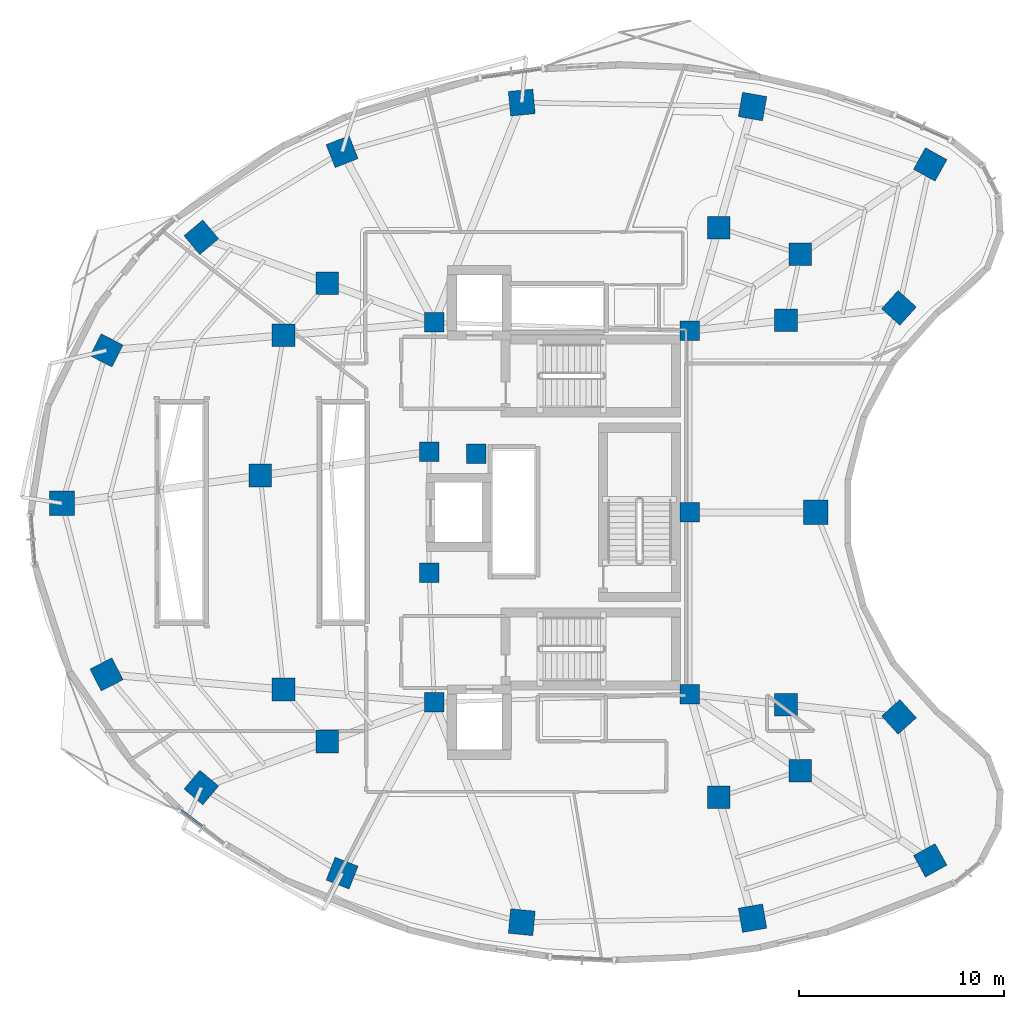
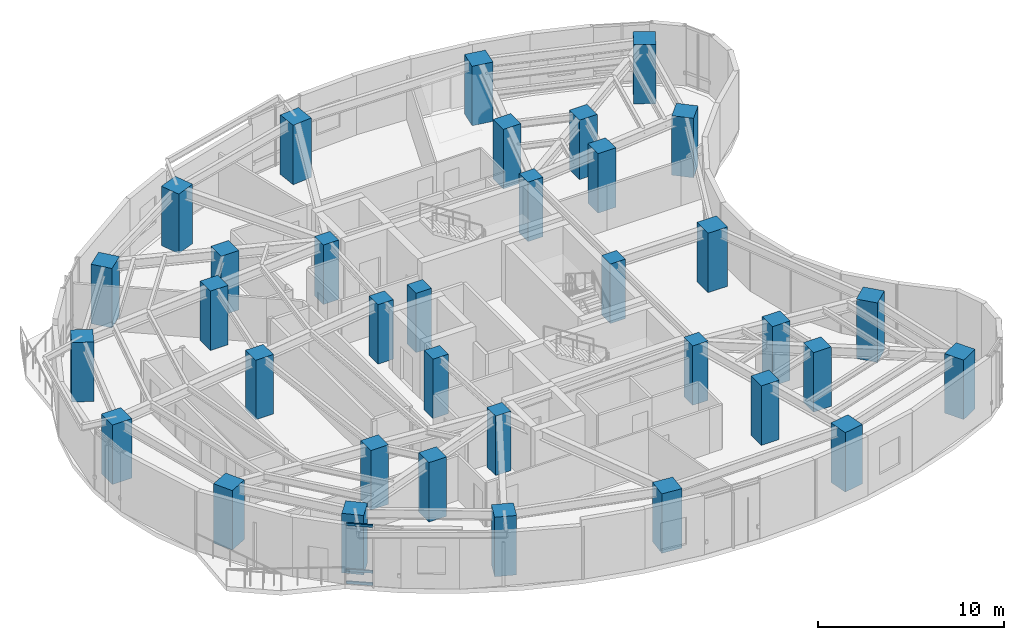
# One storey, part 1 of 14: 35 columns, 3 members, 1 element without a shape of its own.
"""IFC4 building model written with IfcOpenShell, lengths in metres."""

import ifcopenshell
import ifcopenshell.guid

model = None  # the IFC model being written
_history = None  # IfcOwnerHistory: only IFC2X3 demands one
_inside = {}  # id of a spatial element -> (the spatial element, [elements in it])
_under = {}  # id of a project, library or spatial element -> (it, [spatial elements below it])
_declared = {}  # id of a project -> (the project, [libraries it declares])
_typed = {}  # id of a type object -> (the type object, [elements of that type])
_made_of = {}  # id of a material, layer set ... -> (it, [elements and type objects made of it])


def new_model(schema):
    """Start an empty IFC model of exactly this schema.

    Asked for "IFC4X3", IfcOpenShell would pick the latest addendum, in which some entities
    have other attributes; the version numbers below select the first issue.
    IFC2X3 requires an IfcOwnerHistory on every rooted entity: one is made here for all.
    """
    global model, _history
    if schema == "IFC4X3":
        model = ifcopenshell.file(schema_version=(4, 3, 0, 0))
    else:
        model = ifcopenshell.file(schema=schema)
    _inside.clear()
    _under.clear()
    _declared.clear()
    _typed.clear()
    _made_of.clear()
    _history = None
    if model.schema == "IFC2X3":
        org = make("IfcOrganization", Name="unknown")
        user = make(
            "IfcPersonAndOrganization",
            ThePerson=make("IfcPerson", FamilyName="unknown"),
            TheOrganization=org,
        )
        app = make(
            "IfcApplication",
            ApplicationDeveloper=org,
            Version="unknown",
            ApplicationFullName="unknown",
            ApplicationIdentifier="unknown",
        )
        _history = make(
            "IfcOwnerHistory",
            OwningUser=user,
            OwningApplication=app,
            ChangeAction="ADDED",
            CreationDate=0,
        )
    return model


def make(cls, **values):
    """One entity of the class cls with the attributes given. An attribute that is None is left unset."""
    return model.create_entity(
        cls, **{name: value for name, value in values.items() if value is not None}
    )


def rooted(cls, **values):
    """An entity with a GlobalId (a new one), such as an element, a storey or a relation."""
    return make(cls, GlobalId=ifcopenshell.guid.new(), OwnerHistory=_history, **values)


def si_unit(unit_type, name, prefix=None):
    """IfcSIUnit, for example si_unit("LENGTHUNIT", "METRE", prefix="MILLI")."""
    return make("IfcSIUnit", UnitType=unit_type, Prefix=prefix, Name=name)


def assignment(units):
    """IfcUnitAssignment: the units of a project."""
    return None if units is None else make("IfcUnitAssignment", Units=units)


def point(xyz):
    """IfcCartesianPoint."""
    return None if xyz is None else make("IfcCartesianPoint", Coordinates=xyz)


def direction(xyz):
    """IfcDirection."""
    return None if xyz is None else make("IfcDirection", DirectionRatios=xyz)


def frame(location, z_axis=None, x_axis=None):
    """IfcAxis2Placement3D, a coordinate frame: its origin and axes. An axis left out is left unset."""
    return make(
        "IfcAxis2Placement3D",
        Location=point(location),
        Axis=direction(z_axis),
        RefDirection=direction(x_axis),
    )


def frame_2d(location, x_axis=None):
    """IfcAxis2Placement2D, a coordinate frame in the plane: its origin and x axis."""
    return make(
        "IfcAxis2Placement2D", Location=point(location), RefDirection=direction(x_axis)
    )


def origin():
    """The frame at (0, 0, 0) with its axes left unset."""
    return frame((0.0, 0.0, 0.0))


def origin_2d():
    """The frame at (0, 0) in the plane with its x axis left unset."""
    return frame_2d((0.0, 0.0))


def place(relative_to, where):
    """IfcLocalPlacement: puts the frame where relative to a parent placement (None: the world)."""
    return make(
        "IfcLocalPlacement", PlacementRelTo=relative_to, RelativePlacement=where
    )


def context(
    kind, dimensions, precision=None, world=None, true_north=None, identifier=None
):
    """IfcGeometricRepresentationContext, for example the 3D "Model" context."""
    return make(
        "IfcGeometricRepresentationContext",
        ContextIdentifier=identifier,
        ContextType=kind,
        CoordinateSpaceDimension=dimensions,
        Precision=precision,
        WorldCoordinateSystem=world,
        TrueNorth=true_north,
    )


def subcontext(parent, identifier, kind, view, scale=None):
    """IfcGeometricRepresentationSubContext, for example "Body" below "Model"."""
    return make(
        "IfcGeometricRepresentationSubContext",
        ContextIdentifier=identifier,
        ContextType=kind,
        ParentContext=parent,
        TargetScale=scale,
        TargetView=view,
    )


def project(units=None, contexts=None):
    """IfcProject with its units and contexts."""
    return rooted(
        "IfcProject",
        Name="project",
        RepresentationContexts=contexts,
        UnitsInContext=assignment(units),
    )


def spatial(cls, under=None, at=None, **own):
    """A site, building, storey or space (cls), placed at a placement, below another one or the project."""
    s = rooted(cls, ObjectPlacement=at, **own)
    if under is not None:
        _under.setdefault(under.id(), (under, []))[1].append(s)
    return s


def profile(cls, at=None, kind="AREA", **sizes):
    """A parametric profile (cls). Its sizes go by their IFC names, for example OverallWidth=200.0."""
    return make(cls, ProfileType=kind, Position=at, **sizes)


def rectangle(**sizes):
    """IfcRectangleProfileDef."""
    return profile("IfcRectangleProfileDef", **sizes)


def extrude(swept, where, along, depth):
    """IfcExtrudedAreaSolid: the profile swept, set in the frame where, extruded along a direction by depth."""
    return make(
        "IfcExtrudedAreaSolid",
        SweptArea=swept,
        Position=where,
        ExtrudedDirection=direction(along),
        Depth=depth,
    )


def shape(context_of_items, identifier, shape_type, items):
    """IfcShapeRepresentation: the items that make up one representation, for example the "Body"."""
    return make(
        "IfcShapeRepresentation",
        ContextOfItems=context_of_items,
        RepresentationIdentifier=identifier,
        RepresentationType=shape_type,
        Items=items,
    )


def material(Name=None, Category=None):
    """IfcMaterial."""
    return make("IfcMaterial", Name=Name, Category=Category)


def layer(
    of_material, thickness, ventilated=None, Name=None, Category=None, Priority=None
):
    """IfcMaterialLayer: one layer of a wall or slab, of a material (None: an air gap)."""
    return make(
        "IfcMaterialLayer",
        Material=of_material,
        LayerThickness=thickness,
        IsVentilated=ventilated,
        Name=Name,
        Category=Category,
        Priority=Priority,
    )


def layer_set(layers, Name=None):
    """IfcMaterialLayerSet."""
    return make("IfcMaterialLayerSet", MaterialLayers=layers, LayerSetName=Name)


def material_profile(
    of_material, cross_section, Name=None, Category=None, Priority=None
):
    """IfcMaterialProfile: a cross section and its material."""
    return make(
        "IfcMaterialProfile",
        Name=Name,
        Material=of_material,
        Profile=cross_section,
        Priority=Priority,
        Category=Category,
    )


def profile_set(profiles, Name=None, composite=None):
    """IfcMaterialProfileSet."""
    return make(
        "IfcMaterialProfileSet",
        Name=Name,
        MaterialProfiles=profiles,
        CompositeProfile=composite,
    )


def made_of(thing, what):
    """Note that an element or type object is made of a material, layer set ...; save() writes the relation."""
    if what is not None:
        _made_of.setdefault(what.id(), (what, []))[1].append(thing)
    return thing


def type_object(cls, material=None, **own):
    """A type object (cls), such as IfcWallType, which elements share."""
    return made_of(rooted(cls, **own), material)


def element(
    cls,
    number,
    at=None,
    inside=None,
    cuts=None,
    type_object=None,
    material=None,
    context=None,
    identifier="Body",
    shape_type=None,
    held_by="IfcProductDefinitionShape",
    body=None,
    shapes=None,
    **own,
):
    """One element of the class cls, such as IfcWall. Its Tag is "e" and its number.

    at: its placement. inside: the storey or other place that contains it. cuts: it is an
    opening in that element (IfcRelVoidsElement). A single representation is given by context,
    identifier, shape_type and body (its items); several are given by shapes. held_by: the class
    of the entity that holds the representations. save() writes the other relations.
    """
    e = rooted(cls, Tag="e%d" % number, ObjectPlacement=at, **own)
    if body is not None:
        shapes = [shape(context, identifier, shape_type, body)]
    if shapes is not None:
        e.Representation = make(held_by, Representations=shapes)
    if inside is not None:
        _inside.setdefault(inside.id(), (inside, []))[1].append(e)
    if cuts is not None:
        rooted(
            "IfcRelVoidsElement", RelatingBuildingElement=cuts, RelatedOpeningElement=e
        )
    if type_object is not None:
        _typed.setdefault(type_object.id(), (type_object, []))[1].append(e)
    return made_of(e, material)


def aggregate(whole, parts):
    """IfcRelAggregates: a whole, such as a stair, and the parts it consists of."""
    return rooted("IfcRelAggregates", RelatingObject=whole, RelatedObjects=parts)


def save(model, path):
    """Write the relations noted so far, then the file.

    IfcRelAggregates (storeys below a building ...), IfcRelContainedInSpatialStructure (elements
    in a storey), IfcRelDefinesByType, IfcRelAssociatesMaterial and IfcRelDeclares: one each for
    every whole, place, type object, material and project.
    """
    for whole, parts in _under.values():
        aggregate(whole, parts)
    for where, things in _inside.values():
        rooted(
            "IfcRelContainedInSpatialStructure",
            RelatedElements=things,
            RelatingStructure=where,
        )
    for kind, things in _typed.values():
        rooted("IfcRelDefinesByType", RelatedObjects=things, RelatingType=kind)
    for what, things in _made_of.values():
        rooted("IfcRelAssociatesMaterial", RelatedObjects=things, RelatingMaterial=what)
    for by, libraries in _declared.values():
        rooted("IfcRelDeclares", RelatingContext=by, RelatedDefinitions=libraries)
    model.write(path)


model = new_model("IFC4")

# Units and contexts
model_context = context("Model", 3, precision=1e-05, world=origin(), true_north=direction((0.0, 1.0)))
body_context = subcontext(model_context, "Body", "Model", "MODEL_VIEW")
ifc_project = project(units=[si_unit("LENGTHUNIT", "METRE"), si_unit("AREAUNIT", "SQUARE_METRE"), si_unit("VOLUMEUNIT", "CUBIC_METRE"), si_unit("PLANEANGLEUNIT", "RADIAN"), si_unit("MASSUNIT", "GRAM", prefix="KILO")], contexts=[model_context])

# Site, building, storey
site_placement = place(None, origin())
site = spatial("IfcSite", under=ifc_project, at=site_placement, CompositionType="ELEMENT")
building_placement = place(site_placement, origin())
building = spatial("IfcBuilding", under=site, at=building_placement, Name="Korentha Bioscience Tower", CompositionType="ELEMENT")
storey_placement = place(building_placement, frame((0.0, 0.0, 132.0)))
storey = spatial("IfcBuildingStorey", under=building, at=storey_placement, Name="L30", CompositionType="ELEMENT", Elevation=132.0)

# Columns
ifc_material_1 = material(Name="Concrete C65", Category="concrete")
ifc_material_profile_1 = material_profile(ifc_material_1, rectangle(XDim=0.949951171875, YDim=0.949951171875, at=origin_2d()), Name="Concrete C65")
ifc_profile_set_1 = profile_set([ifc_material_profile_1], Name="Concrete C65 (COL-CP09)")
column_type_1 = type_object("IfcColumnType", Name="Core Pilaster Column RC 950x950", PredefinedType="PILASTER", material=ifc_profile_set_1)
for number, where, z_axis, x_axis, name in (
    (1, (37.550048828125, 35.85009765625, -0.00048828125), (0.0, 0.0, 1.0), (1.0, 0.0, 0.0), "L30 Core Pilaster CP-01"),
    (2, (25.10009765625, 36.25, -0.00048828125), (0.0, 0.0, 1.0), (1.0, 0.0, 0.0), "L30 Core Pilaster CP-02"),
    (3, (24.85009765625, 29.949951171875, -0.00048828125), (0.0, 0.0, 1.0), (1.0, 0.0, 0.0), "L30 Core Pilaster CP-03"),
    (4, (27.14990234375, 29.85009765625, -0.00048828125), (0.0, 0.0, 1.0), (1.0, 0.0, 0.0), "L30 Core Pilaster CP-04"),
    (5, (24.85009765625, 24.050048828125, -0.00048828125), (0.0, 0.0, 1.0), (1.0, 0.0, 0.0), "L30 Core Pilaster CP-05"),
    (6, (25.10009765625, 17.75, -0.00048828125), (0.0, 0.0, 1.0), (1.0, 0.0, 0.0), "L30 Core Pilaster CP-06"),
    (7, (37.550048828125, 18.14990234375, -0.00048828125), (0.0, 0.0, 1.0), (1.0, 0.0, 0.0), "L30 Core Pilaster CP-07"),
    (8, (37.550048828125, 27.0, -0.00048828125), (0.0, 0.0, 1.0), (1.0, 0.0, 0.0), "L30 Core Pilaster CP-08"),
):
    element("IfcColumn", number, at=place(storey_placement, frame(where, z_axis=z_axis, x_axis=x_axis)), inside=storey, type_object=column_type_1, Name=name, PredefinedType="PILASTER", context=body_context, shape_type="SweptSolid", body=[
        extrude(rectangle(XDim=0.949951171875, YDim=0.949951171875, at=origin_2d()), origin(), (0.0, 0.0, 1.0), 3.90087890625),
    ])
ifc_material_2 = material(Name="Concrete C80", Category="concrete")
ifc_material_profile_2 = material_profile(ifc_material_2, rectangle(XDim=1.10009765625, YDim=1.10009765625, at=origin_2d()), Name="Concrete C80")
ifc_profile_set_2 = profile_set([ifc_material_profile_2], Name="Concrete C80 (COL-MR11)")
column_type_2 = type_object("IfcColumnType", Name="Mid-Ring Lab Column RC 1100x1100", PredefinedType="COLUMN", material=ifc_profile_set_2)
for number, where, z_axis, x_axis, name in (
    (9, (42.93603515625, 39.57470703125, -0.00048828125), (0.0, 0.0, 1.0), (1.0, 0.0, 0.0), "L30 Mid-Ring Column 01"),
    (10, (38.954833984375, 40.870849609375, -0.00048828125), (0.0, 0.0, 1.0), (1.0, 0.0, 0.0), "L30 Mid-Ring Column 02"),
    (11, (19.882568359375, 38.158935546875, -0.00048828125), (0.0, 0.0, 1.0), (1.0, 0.0, 0.0), "L30 Mid-Ring Column 05"),
    (12, (17.75927734375, 35.6240234375, -0.00048828125), (0.0, 0.0, 1.0), (1.0, 0.0, 0.0), "L30 Mid-Ring Column 06"),
    (13, (16.627197265625, 28.796630859375, -0.00048828125), (0.0, 0.0, 1.0), (1.0, 0.0, 0.0), "L30 Mid-Ring Column 07"),
    (14, (17.75927734375, 18.3759765625, -0.00048828125), (0.0, 0.0, 1.0), (1.0, 0.0, 0.0), "L30 Mid-Ring Column 08"),
    (15, (19.882568359375, 15.841064453125, -0.00048828125), (0.0, 0.0, 1.0), (1.0, 0.0, 0.0), "L30 Mid-Ring Column 09"),
    (16, (38.954833984375, 13.129150390625, -0.00048828125), (0.0, 0.0, 1.0), (1.0, 0.0, 0.0), "L30 Mid-Ring Column 12"),
    (17, (42.93603515625, 14.42529296875, -0.00048828125), (0.0, 0.0, 1.0), (1.0, 0.0, 0.0), "L30 Mid-Ring Column 13"),
    (18, (42.235595703125, 17.639404296875, -0.00048828125), (0.0, 0.0, 1.0), (1.0, 0.0, 0.0), "L30 Mid-Ring Column 14"),
    (19, (42.235595703125, 36.360595703125, -0.00048828125), (0.0, 0.0, 1.0), (1.0, 0.0, 0.0), "L30 Mid-Ring Column 16"),
):
    element("IfcColumn", number, at=place(storey_placement, frame(where, z_axis=z_axis, x_axis=x_axis)), inside=storey, type_object=column_type_2, Name=name, PredefinedType="COLUMN", context=body_context, shape_type="SweptSolid", body=[
        extrude(rectangle(XDim=1.10009765625, YDim=1.10009765625, at=origin_2d()), origin(), (0.0, 0.0, 1.0), 3.90087890625),
    ])
ifc_material_profile_3 = material_profile(ifc_material_2, rectangle(XDim=1.199951171875, YDim=1.199951171875, at=origin_2d()), Name="Concrete C80")
ifc_profile_set_3 = profile_set([ifc_material_profile_3], Name="Concrete C80 (COL-P12)")
column_type_3 = type_object("IfcColumnType", Name="Perimeter Column RC 1200x1200", PredefinedType="COLUMN", material=ifc_profile_set_3)
for number, where, z_axis, x_axis, name in (
    (20, (49.2587890625, 43.947021484375, -0.00048828125), (0.0, 0.0, 1.0), (-0.874535078577, 0.484962262797, 0.0), "L30 Perimeter Column 01"),
    (21, (40.604248046875, 46.764892578125, -0.00048828125), (0.0, 0.0, 1.0), (-0.984868307662, 0.173304404339, 0.0), "L30 Perimeter Column 02"),
    (22, (29.3642578125, 46.959228515625, -0.00048828125), (0.0, 0.0, 1.0), (0.995462868748, 0.095150811579, 0.0), "L30 Perimeter Column 03"),
    (23, (20.614990234375, 44.5693359375, -0.00048828125), (0.0, 0.0, 1.0), (0.930225540858, 0.366988341962, 0.0), "L30 Perimeter Column 04"),
    (24, (13.7578125, 40.400146484375, -0.00048828125), (0.0, 0.0, 1.0), (0.764246456939, 0.644924300253, 0.0), "L30 Perimeter Column 05"),
    (25, (9.141845703125, 34.889404296875, -0.00048828125), (0.0, 0.0, 1.0), (0.453057191132, 0.891481453292, 0.0), "L30 Perimeter Column 06"),
    (26, (6.97412109375, 27.4423828125, -0.00048828125), (0.0, 0.0, 1.0), (0.0, 1.0, 0.0), "L30 Perimeter Column 07"),
    (27, (9.141845703125, 19.110595703125, -0.00048828125), (0.0, 0.0, 1.0), (-0.453057191132, 0.891481453292, 0.0), "L30 Perimeter Column 08"),
    (28, (13.7578125, 13.599853515625, -0.00048828125), (0.0, 0.0, 1.0), (-0.764246456939, 0.644924300253, 0.0), "L30 Perimeter Column 09"),
    (29, (20.614990234375, 9.4306640625, -0.00048828125), (0.0, 0.0, 1.0), (-0.930225540858, 0.366988341962, 0.0), "L30 Perimeter Column 10"),
    (30, (29.3642578125, 7.040771484375, -0.00048828125), (0.0, 0.0, 1.0), (-0.995462868748, 0.095150811579, 0.0), "L30 Perimeter Column 11"),
    (31, (40.604248046875, 7.235107421875, -0.00048828125), (0.0, 0.0, 1.0), (0.984868307662, 0.173304404339, 0.0), "L30 Perimeter Column 12"),
    (32, (49.2587890625, 10.052978515625, -0.00048828125), (0.0, 0.0, 1.0), (0.874535078577, 0.484962262797, 0.0), "L30 Perimeter Column 13"),
    (33, (47.736083984375, 17.040283203125, -0.00048828125), (0.0, 0.0, 1.0), (-0.669130606359, 0.743144825477, 0.0), "L30 Perimeter Column 14"),
    (34, (43.680908203125, 27.0, -0.00048828125), (0.0, 0.0, 1.0), (0.0, 1.0, 0.0), "L30 Perimeter Column 15"),
    (35, (47.736083984375, 36.959716796875, -0.00048828125), (0.0, 0.0, 1.0), (0.669130606359, 0.743144825477, 0.0), "L30 Perimeter Column 16"),
):
    element("IfcColumn", number, at=place(storey_placement, frame(where, z_axis=z_axis, x_axis=x_axis)), inside=storey, type_object=column_type_3, Name=name, PredefinedType="COLUMN", context=body_context, shape_type="SweptSolid", body=[
        extrude(rectangle(XDim=1.199951171875, YDim=1.199951171875, at=origin_2d()), origin(), (0.0, 0.0, 1.0), 3.90087890625),
    ])

# Curtain wall, members
ifc_material_3 = material(Name="Thermally Broken Aluminium Frame", Category="aluminium")
ifc_layer = layer(ifc_material_3, 0.219970703125, Name="Thermally Broken Aluminium Frame")
ifc_layer_set = layer_set([ifc_layer], Name="Thermally Broken Aluminium Frame (CW-T2)")
curtain_wall_type = type_object("IfcCurtainWallType", Name="Solar-Screened Lab Unitised Curtain Wall CW-T2", PredefinedType="USERDEFINED", material=ifc_layer_set)
curtain_wall_placement = place(storey_placement, origin())
curtain_wall = element("IfcCurtainWall", 36, at=curtain_wall_placement, inside=storey, type_object=curtain_wall_type, Name="L30 Curtain Wall 25", ObjectType="UNITISED", PredefinedType="USERDEFINED")
ifc_material_4 = material(Name="Anodised Aluminium 6063-T6", Category="aluminium")
ifc_material_profile_4 = material_profile(ifc_material_4, rectangle(XDim=0.090087890625, YDim=0.159912109375, at=origin_2d()), Name="Anodised Aluminium 6063-T6")
ifc_profile_set_4 = profile_set([ifc_material_profile_4], Name="Anodised Aluminium 6063-T6 (CW-TRN)")
member_type = type_object("IfcMemberType", Name="Transom RECT 90x160", PredefinedType="USERDEFINED", material=ifc_profile_set_4)
member_1_placement = place(storey_placement, frame((12.659912109375, 12.601318359375, 0.044921875), z_axis=(0.794559026989, -0.607186917374, 0.0), x_axis=(0.607186917374, 0.794559026989, 0.0)))
member_1 = element("IfcMember", 37, at=member_1_placement, type_object=member_type, Name="CW-L30-25 Bay 1 Transom 1", ObjectType="TRANSOM", PredefinedType="USERDEFINED", context=body_context, shape_type="SweptSolid", body=[
    extrude(rectangle(XDim=0.090087890625, YDim=0.159912109375, at=origin_2d()), origin(), (0.0, 0.0, 1.0), 1.4462890625),
])
member_2_placement = place(storey_placement, frame((12.659912109375, 12.601318359375, 0.85009765625), z_axis=(0.794559026989, -0.607186917374, 0.0), x_axis=(0.607186917374, 0.794559026989, 0.0)))
member_2 = element("IfcMember", 38, at=member_2_placement, type_object=member_type, Name="CW-L30-25 Bay 1 Transom 2", ObjectType="TRANSOM", PredefinedType="USERDEFINED", context=body_context, shape_type="SweptSolid", body=[
    extrude(rectangle(XDim=0.090087890625, YDim=0.159912109375, at=origin_2d()), origin(), (0.0, 0.0, 1.0), 1.4462890625),
])
member_3_placement = place(storey_placement, frame((12.659912109375, 12.601318359375, 3.85498046875), z_axis=(0.794559026989, -0.607186917374, 0.0), x_axis=(0.607186917374, 0.794559026989, 0.0)))
member_3 = element("IfcMember", 39, at=member_3_placement, type_object=member_type, Name="CW-L30-25 Bay 1 Transom 3", ObjectType="TRANSOM", PredefinedType="USERDEFINED", context=body_context, shape_type="SweptSolid", body=[
    extrude(rectangle(XDim=0.090087890625, YDim=0.159912109375, at=origin_2d()), origin(), (0.0, 0.0, 1.0), 1.4462890625),
])
aggregate(curtain_wall, [member_1, member_2, member_3])

save(model, "model.ifc")
